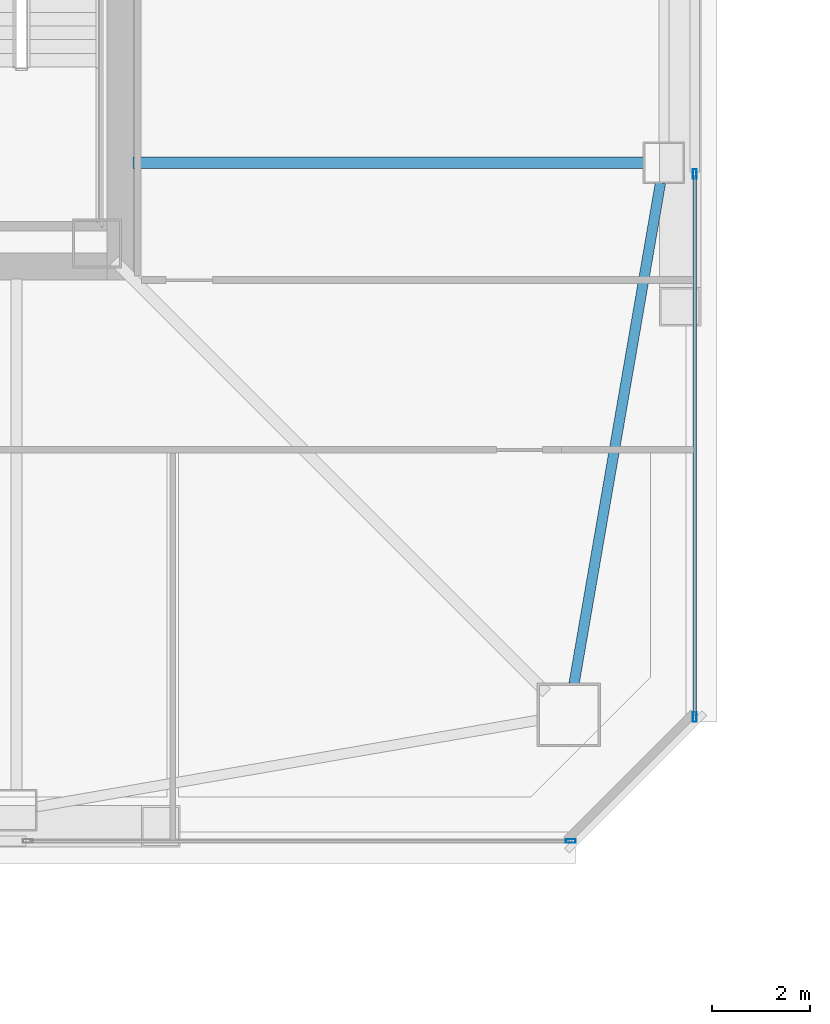
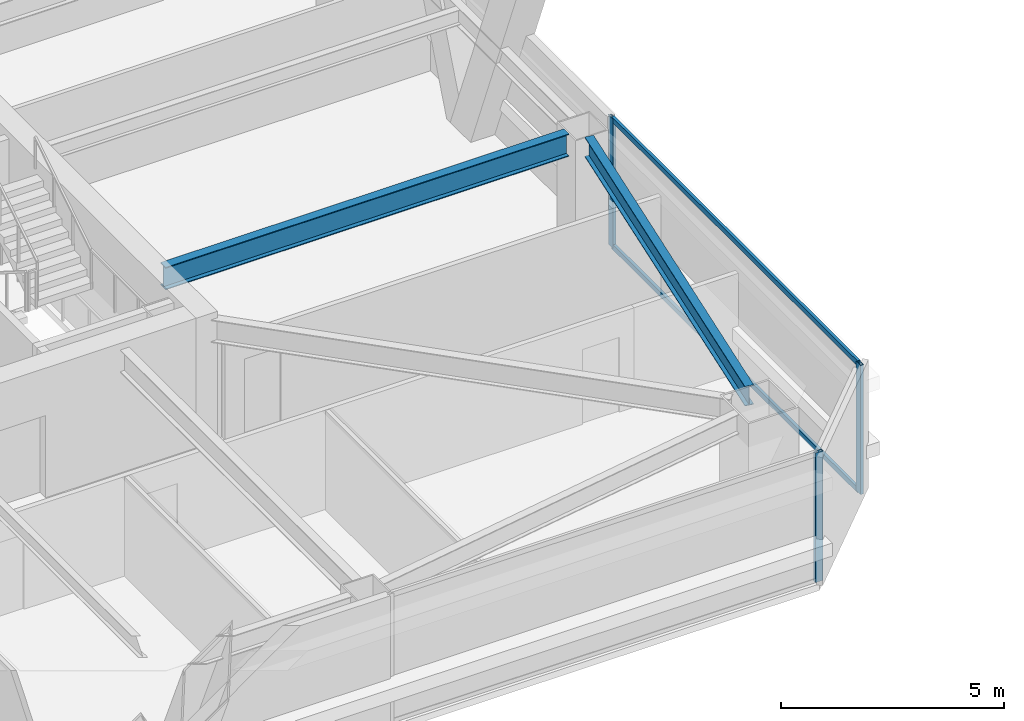
# One storey, part 11 of 50: 5 members, 2 beams, 2 elements without a shape of their own.
"""IFC4 building model written with IfcOpenShell, lengths in metres."""

from ifc_helpers import new_model, si_unit, direction, frame, origin, origin_2d, place, context, subcontext, project, spatial, hollow_rectangle, i_section, extrude, material, material_profile, profile_set, type_object, element, aggregate, save


model = new_model("IFC4")

# Units and contexts
model_context = context("Model", 3, precision=1e-05, world=origin(), true_north=direction((0.0, 1.0)))
body_context = subcontext(model_context, "Body", "Model", "MODEL_VIEW")
ifc_project = project(units=[si_unit("LENGTHUNIT", "METRE"), si_unit("AREAUNIT", "SQUARE_METRE"), si_unit("VOLUMEUNIT", "CUBIC_METRE"), si_unit("PLANEANGLEUNIT", "RADIAN"), si_unit("MASSUNIT", "GRAM", prefix="KILO")], contexts=[model_context])

# Site, building, storey
site_placement = place(None, origin())
site = spatial("IfcSite", under=ifc_project, at=site_placement, CompositionType="ELEMENT")
building_placement = place(site_placement, origin())
building = spatial("IfcBuilding", under=site, at=building_placement, Name="Tashvorn Skyway Center", CompositionType="ELEMENT")
storey_placement = place(building_placement, frame((0.0, 0.0, 114.39990234375)))
storey = spatial("IfcBuildingStorey", under=building, at=storey_placement, Name="L30", CompositionType="ELEMENT", Elevation=114.39990234375)

# Beams
ifc_material_1 = material(Name="Steel ASTM A992 Grade 50", Category="steel")
ifc_material_profile_1 = material_profile(ifc_material_1, i_section(OverallWidth=0.22998046875, OverallDepth=0.616943359375, WebThickness=0.01318359375, FlangeThickness=0.022216796875, at=origin_2d()), Name="W24X94")
ifc_profile_set_1 = profile_set([ifc_material_profile_1], Name="Steel ASTM A992 Grade 50")
beam_type_1 = type_object("IfcBeamType", Name="BM-BEAM-W24X94", PredefinedType="BEAM", material=ifc_profile_set_1)
beam_1_placement = place(storey_placement, frame((60.22998046875, 26.60009765625, 3.0615234375), z_axis=(-1.0, 0.0, 0.0), x_axis=(0.0, -1.0, 0.0)))
element("IfcBeam", 1, at=beam_1_placement, inside=storey, type_object=beam_type_1, Name="Tower 1 L30 Primary Floor Girder FC-E1", PredefinedType="BEAM", context=body_context, shape_type="SweptSolid", body=[
    extrude(i_section(OverallWidth=0.22998046875, OverallDepth=0.616943359375, WebThickness=0.01318359375, FlangeThickness=0.022216796875, at=origin_2d()), origin(), (0.0, 0.0, 1.0), 10.449951171875),
])
ifc_material_profile_2 = material_profile(ifc_material_1, i_section(OverallWidth=0.2109375, OverallDepth=0.5390625, WebThickness=0.01171875, FlangeThickness=0.018798828125, at=origin_2d()), Name="W21X73")
ifc_profile_set_2 = profile_set([ifc_material_profile_2], Name="Steel ASTM A992 Grade 50")
beam_type_2 = type_object("IfcBeamType", Name="BM-SPANDREL-W21X73", PredefinedType="SPANDREL", material=ifc_profile_set_2)
beam_2_placement = place(storey_placement, frame((58.8095703125, 15.935546875, 3.1005859375), z_axis=(0.170067250846, 0.985432458462, 0.0), x_axis=(-0.985432458462, 0.170067250846, 0.0)))
element("IfcBeam", 2, at=beam_2_placement, inside=storey, type_object=beam_type_2, Name="Tower 1 L30 Spandrel Beam 04", PredefinedType="SPANDREL", context=body_context, shape_type="SweptSolid", body=[
    extrude(i_section(OverallWidth=0.2109375, OverallDepth=0.5390625, WebThickness=0.01171875, FlangeThickness=0.018798828125, at=origin_2d()), origin(), (0.0, 0.0, 1.0), 10.402099609375),
])

# Curtain wall, member
ifc_material_2 = material(Name="Thermally broken bronze-anodized aluminium 6063-T6", Category="aluminium")
curtain_wall_type = type_object("IfcCurtainWallType", Name="CW-CW-Z3", PredefinedType="NOTDEFINED", material=ifc_material_2)
curtain_wall_1_placement = place(storey_placement, origin())
curtain_wall_1 = element("IfcCurtainWall", 3, at=curtain_wall_1_placement, inside=storey, type_object=curtain_wall_type, Name="Tower 1 L30 South Unitised Curtain Wall Glazing Group 1", PredefinedType="NOTDEFINED")
ifc_material_profile_3 = material_profile(ifc_material_2, hollow_rectangle(XDim=0.074951171875, YDim=0.199951171875, WallThickness=0.00439453125, at=origin_2d()), Name="ALU-MULL-75x200")
ifc_profile_set_3 = profile_set([ifc_material_profile_3], Name="Thermally broken bronze-anodized aluminium 6063-T6")
member_type_1 = type_object("IfcMemberType", Name="CWM-CW-Z3", PredefinedType="MULLION", material=ifc_profile_set_3)
member_1_placement = place(storey_placement, frame((58.742431640625, 12.719970703125, 0.0), z_axis=(0.0, 0.0, 1.0), x_axis=(0.0, -1.0, 0.0)))
member_1 = element("IfcMember", 4, at=member_1_placement, type_object=member_type_1, Name="CW-Z3 mullion 1", PredefinedType="MULLION", context=body_context, shape_type="SweptSolid", body=[
    extrude(hollow_rectangle(XDim=0.074951171875, YDim=0.199951171875, WallThickness=0.00439453125, at=origin_2d()), origin(), (0.0, 0.0, 1.0), 3.550048828125),
])
aggregate(curtain_wall_1, [member_1])

# Curtain wall, members
curtain_wall_2_placement = place(storey_placement, origin())
curtain_wall_2 = element("IfcCurtainWall", 5, at=curtain_wall_2_placement, inside=storey, type_object=curtain_wall_type, Name="Tower 1 L30 East Unitised Curtain Wall Glazing Group 2", PredefinedType="NOTDEFINED")
member_2_placement = place(storey_placement, frame((61.280029296875, 26.369140625, 0.0), z_axis=(0.0, 0.0, 1.0), x_axis=(1.0, 0.0, 0.0)))
member_2 = element("IfcMember", 6, at=member_2_placement, type_object=member_type_1, Name="CW-Z3 mullion 1", PredefinedType="MULLION", context=body_context, shape_type="SweptSolid", body=[
    extrude(hollow_rectangle(XDim=0.074951171875, YDim=0.199951171875, WallThickness=0.00439453125, at=origin_2d()), origin(), (0.0, 0.0, 1.0), 3.550048828125),
])
member_3_placement = place(storey_placement, frame((61.280029296875, 15.257568359375, 0.0), z_axis=(0.0, 0.0, 1.0), x_axis=(1.0, 0.0, 0.0)))
member_3 = element("IfcMember", 7, at=member_3_placement, type_object=member_type_1, Name="CW-Z3 mullion 2", PredefinedType="MULLION", context=body_context, shape_type="SweptSolid", body=[
    extrude(hollow_rectangle(XDim=0.074951171875, YDim=0.199951171875, WallThickness=0.00439453125, at=origin_2d()), origin(), (0.0, 0.0, 1.0), 3.550048828125),
])
ifc_material_profile_4 = material_profile(ifc_material_2, hollow_rectangle(XDim=0.074951171875, YDim=0.139892578125, WallThickness=0.004150390625, at=origin_2d()), Name="ALU-TRAN-75x140")
ifc_profile_set_4 = profile_set([ifc_material_profile_4], Name="Thermally broken bronze-anodized aluminium 6063-T6")
member_type_2 = type_object("IfcMemberType", Name="CWT-CW-Z3", PredefinedType="USERDEFINED", material=ifc_profile_set_4)
member_4_placement = place(storey_placement, frame((61.280029296875, 26.331787109375, 0.03759765625), z_axis=(0.0, -1.0, 0.0), x_axis=(1.0, 0.0, 0.0)))
member_4 = element("IfcMember", 8, at=member_4_placement, type_object=member_type_2, Name="CW-Z3 transom 1.1", ObjectType="TRANSOM", PredefinedType="USERDEFINED", context=body_context, shape_type="SweptSolid", body=[
    extrude(hollow_rectangle(XDim=0.074951171875, YDim=0.139892578125, WallThickness=0.004150390625, at=origin_2d()), origin(), (0.0, 0.0, 1.0), 11.036865234375),
])
member_5_placement = place(storey_placement, frame((61.280029296875, 26.331787109375, 3.5126953125), z_axis=(0.0, -1.0, 0.0), x_axis=(1.0, 0.0, 0.0)))
member_5 = element("IfcMember", 9, at=member_5_placement, type_object=member_type_2, Name="CW-Z3 transom 1.2", ObjectType="TRANSOM", PredefinedType="USERDEFINED", context=body_context, shape_type="SweptSolid", body=[
    extrude(hollow_rectangle(XDim=0.074951171875, YDim=0.139892578125, WallThickness=0.004150390625, at=origin_2d()), origin(), (0.0, 0.0, 1.0), 11.036865234375),
])
aggregate(curtain_wall_2, [member_2, member_3, member_4, member_5])

save(model, "model.ifc")
